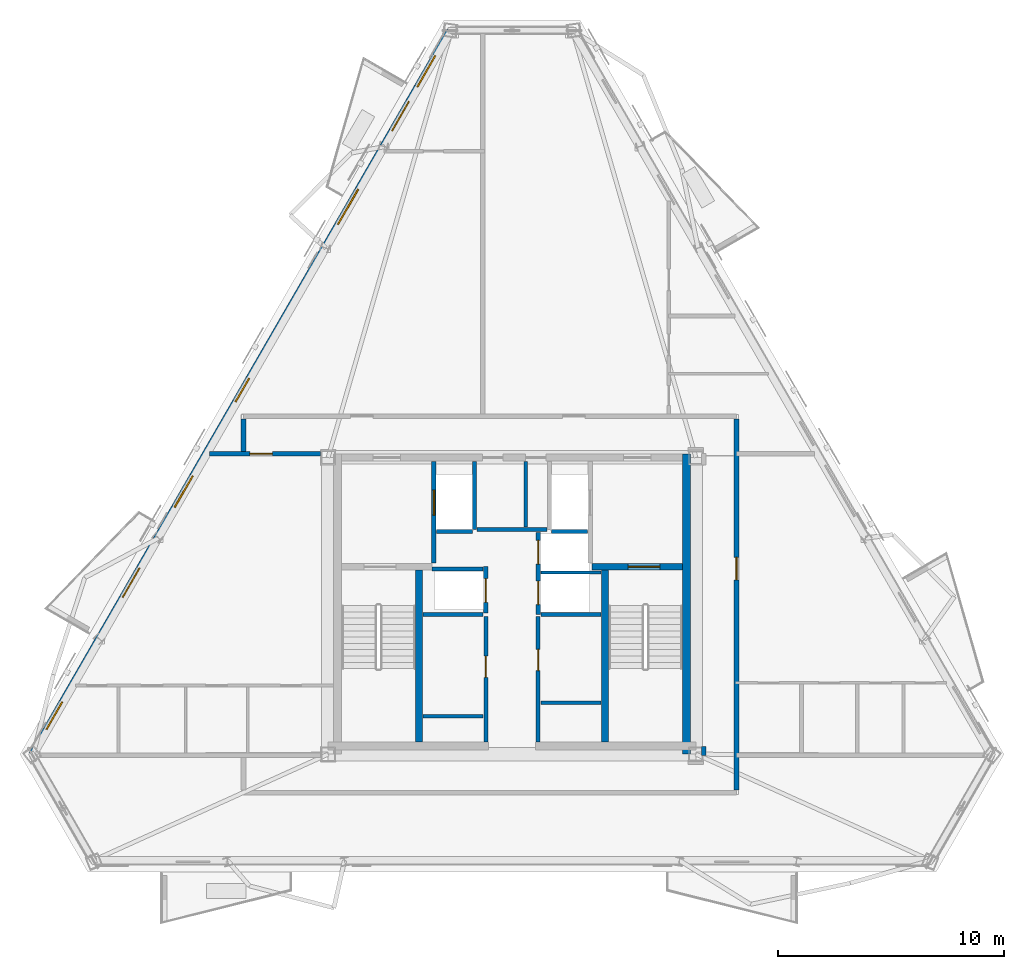
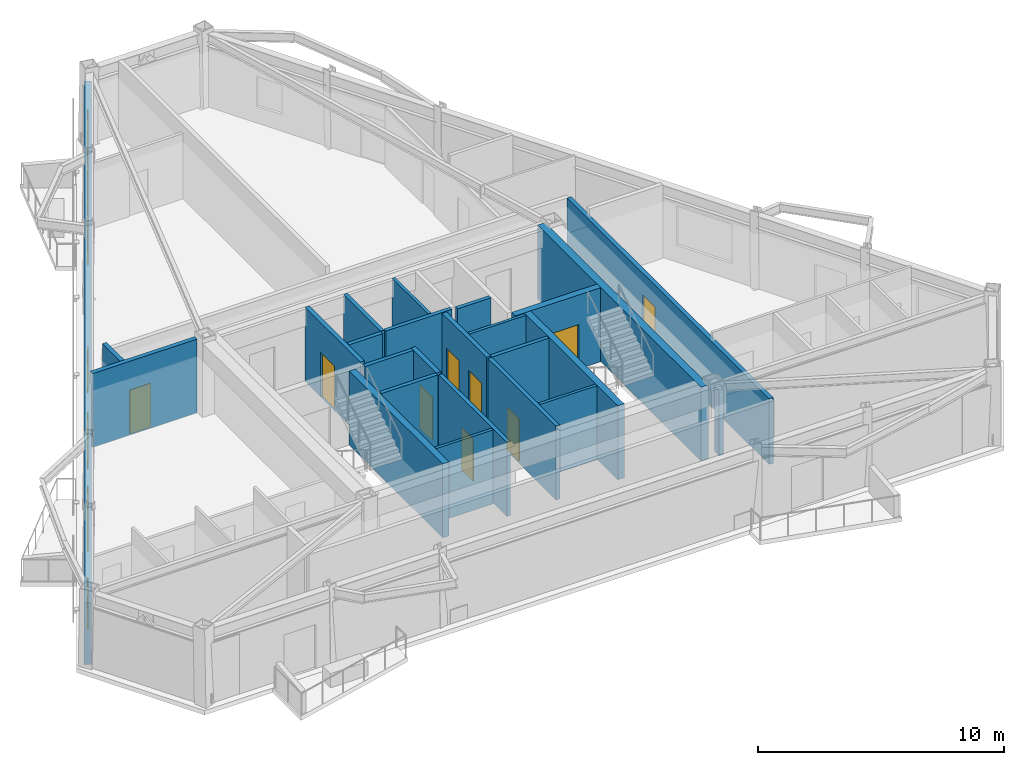
# One storey, part 3 of 9: 25 walls, 11 doors, 5 windows, 16 openings.
"""IFC4 building model written with IfcOpenShell, lengths in metres."""

from ifc_helpers import new_model, si_unit, direction, frame, frame_2d, origin, place, context, subcontext, project, spatial, rectangle, extrude, material, layer, layer_set, type_object, element, fill, save


model = new_model("IFC4")

# Units and contexts
model_context = context("Model", 3, precision=1e-05, world=origin(), true_north=direction((0.0, 1.0)))
body_context = subcontext(model_context, "Body", "Model", "MODEL_VIEW")
ifc_project = project(units=[si_unit("LENGTHUNIT", "METRE"), si_unit("AREAUNIT", "SQUARE_METRE"), si_unit("VOLUMEUNIT", "CUBIC_METRE"), si_unit("PLANEANGLEUNIT", "RADIAN"), si_unit("MASSUNIT", "GRAM", prefix="KILO")], contexts=[model_context])

# Site, building, storey
site_placement = place(None, origin())
site = spatial("IfcSite", under=ifc_project, at=site_placement, CompositionType="ELEMENT")
building_placement = place(site_placement, origin())
building = spatial("IfcBuilding", under=site, at=building_placement, Name="Oramaril Tower", CompositionType="ELEMENT")
storey_placement = place(building_placement, frame((0.0, 0.0, 249.89990234375)))
storey = spatial("IfcBuildingStorey", under=building, at=storey_placement, Name="L66", CompositionType="ELEMENT", Elevation=249.89990234375)

# Wall, openings, doors, windows
ifc_material_1 = material(Name="Warm Cream Limestone", Category="masonry")
ifc_layer_1 = layer(ifc_material_1, 0.2900390625)
ifc_layer_set_1 = layer_set([ifc_layer_1], Name="WT-EXT29")
wall_type_1 = type_object("IfcWallType", Name="WT-EXT29", PredefinedType="SOLIDWALL", material=ifc_layer_set_1)
wall_1_placement = place(storey_placement, frame((34.751708984375, 43.0791015625, 0.0), z_axis=(0.0, 0.0, 1.0), x_axis=(-0.499994896969, -0.866028350001, 0.0)))
wall_1 = element("IfcWall", 1, at=wall_1_placement, inside=storey, type_object=wall_type_1, Name="L66 Tower Limestone Facade Wall 6M", PredefinedType="SOLIDWALL", context=body_context, shape_type="SweptSolid", body=[
    extrude(rectangle(XDim=37.052734375, YDim=0.2900390625, at=frame_2d((18.5263671875, 0.0))), origin(), (0.0, 0.0, 1.0), 3.05810546875),
])
opening_1_placement = place(wall_1_placement, frame((3.639404296875, 0.0, 0.0)))
opening_1 = element("IfcOpeningElement", 2, at=opening_1_placement, cuts=wall_1, Name="Opening D-L66-BAL-NW1", PredefinedType="OPENING", context=body_context, shape_type="SweptSolid", body=[
    extrude(rectangle(XDim=1.5, YDim=2.199951171875, at=frame_2d((0.75, 1.10009765625))), frame((0.0, 0.14501953125, 0.0), z_axis=(0.0, -1.0, 0.0), x_axis=(1.0, 0.0, 0.0)), (0.0, 0.0, 1.0), 0.2900390625),
])
opening_2_placement = place(wall_1_placement, frame((27.51806640625, 0.0, 0.0)))
opening_2 = element("IfcOpeningElement", 3, at=opening_2_placement, cuts=wall_1, Name="Opening D-L66-BAL-NW2", PredefinedType="OPENING", context=body_context, shape_type="SweptSolid", body=[
    extrude(rectangle(XDim=1.5, YDim=2.199951171875, at=frame_2d((0.75, 1.10009765625))), frame((0.0, 0.14501953125, 0.0), z_axis=(0.0, -1.0, 0.0), x_axis=(1.0, 0.0, 0.0)), (0.0, 0.0, 1.0), 0.2900390625),
])
opening_3_placement = place(wall_1_placement, frame((22.802978515625, 0.0, 0.85009765625)))
opening_3 = element("IfcOpeningElement", 4, at=opening_3_placement, cuts=wall_1, Name="Opening WN-07", PredefinedType="OPENING", context=body_context, shape_type="SweptSolid", body=[
    extrude(rectangle(XDim=1.60009765625, YDim=1.699951171875, at=frame_2d((0.800048828125, 0.85009765625))), frame((0.0, 0.14501953125, 0.0), z_axis=(0.0, -1.0, 0.0), x_axis=(1.0, 0.0, 0.0)), (0.0, 0.0, 1.0), 0.2900390625),
])
opening_4_placement = place(wall_1_placement, frame((34.371337890625, 0.0, 0.85009765625)))
opening_4 = element("IfcOpeningElement", 5, at=opening_4_placement, cuts=wall_1, Name="Opening WN-08", PredefinedType="OPENING", context=body_context, shape_type="SweptSolid", body=[
    extrude(rectangle(XDim=1.39990234375, YDim=1.60009765625, at=frame_2d((0.699951171875, 0.800048828125))), frame((0.0, 0.14501953125, 0.0), z_axis=(0.0, -1.0, 0.0), x_axis=(1.0, 0.0, 0.0)), (0.0, 0.0, 1.0), 0.2900390625),
])
opening_5_placement = place(wall_1_placement, frame((8.135009765625, 0.0, 0.85009765625)))
opening_5 = element("IfcOpeningElement", 6, at=opening_5_placement, cuts=wall_1, Name="Opening WN-06", PredefinedType="OPENING", context=body_context, shape_type="SweptSolid", body=[
    extrude(rectangle(XDim=1.800048828125, YDim=1.75, at=frame_2d((0.89990234375, 0.875))), frame((0.0, 0.14501953125, 0.0), z_axis=(0.0, -1.0, 0.0), x_axis=(1.0, 0.0, 0.0)), (0.0, 0.0, 1.0), 0.2900390625),
])
opening_6_placement = place(wall_1_placement, frame((17.809814453125, 0.0, 0.85009765625)))
opening_6 = element("IfcOpeningElement", 7, at=opening_6_placement, cuts=wall_1, Name="Opening WN-09", PredefinedType="OPENING", context=body_context, shape_type="SweptSolid", body=[
    extrude(rectangle(XDim=1.199951171875, YDim=1.47998046875, at=frame_2d((0.60009765625, 0.739990234375))), frame((0.0, 0.14501953125, 0.0), z_axis=(0.0, -1.0, 0.0), x_axis=(1.0, 0.0, 0.0)), (0.0, 0.0, 1.0), 0.2900390625),
])
opening_7_placement = place(wall_1_placement, frame((1.2939453125, 0.0, 0.85009765625)))
opening_7 = element("IfcOpeningElement", 8, at=opening_7_placement, cuts=wall_1, Name="Opening WN-07", PredefinedType="OPENING", context=body_context, shape_type="SweptSolid", body=[
    extrude(rectangle(XDim=1.60009765625, YDim=1.699951171875, at=frame_2d((0.800048828125, 0.85009765625))), frame((0.0, 0.14501953125, 0.0), z_axis=(0.0, -1.0, 0.0), x_axis=(1.0, 0.0, 0.0)), (0.0, 0.0, 1.0), 0.2900390625),
])
ifc_material_2 = material(Name="Anodised Aluminium 6063-T6", Category="aluminium")
door_type_1 = type_object("IfcDoorType", Name="DT-BAL", OperationType="NOTDEFINED", PredefinedType="DOOR", material=ifc_material_2)
door_1_placement = place(opening_1_placement, origin())
door_1 = element("IfcDoor", 9, at=door_1_placement, inside=storey, type_object=door_type_1, Name="L66 Balcony Glazed Door L66-BAL-NW1", OperationType="SINGLE_SWING_LEFT", OverallHeight=2.199951171875, OverallWidth=1.5, PredefinedType="DOOR", context=body_context, shape_type="SweptSolid", body=[
    extrude(rectangle(XDim=1.5, YDim=2.199951171875, at=frame_2d((0.75, 1.10009765625))), frame((0.0, 0.02490234375, 0.0), z_axis=(0.0, -1.0, 0.0), x_axis=(1.0, 0.0, 0.0)), (0.0, 0.0, 1.0), 0.050048828125),
])
fill(opening_1, door_1)
door_2_placement = place(opening_2_placement, origin())
door_2 = element("IfcDoor", 10, at=door_2_placement, inside=storey, type_object=door_type_1, Name="L66 Balcony Glazed Door L66-BAL-NW2", OperationType="SINGLE_SWING_RIGHT", OverallHeight=2.199951171875, OverallWidth=1.5, PredefinedType="DOOR", context=body_context, shape_type="SweptSolid", body=[
    extrude(rectangle(XDim=1.5, YDim=2.199951171875, at=frame_2d((0.75, 1.10009765625))), frame((0.0, 0.02490234375, 0.0), z_axis=(0.0, -1.0, 0.0), x_axis=(1.0, 0.0, 0.0)), (0.0, 0.0, 1.0), 0.050048828125),
])
fill(opening_2, door_2)
ifc_material_3 = material(Name="Coastal Low-E Insulated Glass", Category="glass")
window_type_1 = type_object("IfcWindowType", Name="WNT-06", PartitioningType="SINGLE_PANEL", PredefinedType="WINDOW", material=ifc_material_3)
window_1_placement = place(opening_5_placement, origin())
window_1 = element("IfcWindow", 11, at=window_1_placement, inside=storey, type_object=window_type_1, Name="L66 Chicago Bay Window WN-06", OverallHeight=1.75, OverallWidth=1.800048828125, PartitioningType="SINGLE_PANEL", PredefinedType="WINDOW", context=body_context, shape_type="SweptSolid", body=[
    extrude(rectangle(XDim=1.800048828125, YDim=1.75, at=frame_2d((0.89990234375, 0.875))), frame((0.0, 0.030029296875, 0.0), z_axis=(0.0, -1.0, 0.0), x_axis=(1.0, 0.0, 0.0)), (0.0, 0.0, 1.0), 0.06005859375),
])
fill(opening_5, window_1)
ifc_material_4 = material(Name="Coastal Low-E Insulated Glass", Category="glass")
window_type_2 = type_object("IfcWindowType", Name="WNT-07", PartitioningType="SINGLE_PANEL", PredefinedType="WINDOW", material=ifc_material_4)
window_2_placement = place(opening_3_placement, origin())
window_2 = element("IfcWindow", 12, at=window_2_placement, inside=storey, type_object=window_type_2, Name="L66 Chicago Bay Window WN-07", OverallHeight=1.699951171875, OverallWidth=1.60009765625, PartitioningType="SINGLE_PANEL", PredefinedType="WINDOW", context=body_context, shape_type="SweptSolid", body=[
    extrude(rectangle(XDim=1.60009765625, YDim=1.699951171875, at=frame_2d((0.800048828125, 0.85009765625))), frame((0.0, 0.030029296875, 0.0), z_axis=(0.0, -1.0, 0.0), x_axis=(1.0, 0.0, 0.0)), (0.0, 0.0, 1.0), 0.06005859375),
])
fill(opening_3, window_2)
window_3_placement = place(opening_7_placement, origin())
window_3 = element("IfcWindow", 13, at=window_3_placement, inside=storey, type_object=window_type_2, Name="L66 Chicago Bay Window WN-07", OverallHeight=1.699951171875, OverallWidth=1.60009765625, PartitioningType="SINGLE_PANEL", PredefinedType="WINDOW", context=body_context, shape_type="SweptSolid", body=[
    extrude(rectangle(XDim=1.60009765625, YDim=1.699951171875, at=frame_2d((0.800048828125, 0.85009765625))), frame((0.0, 0.030029296875, 0.0), z_axis=(0.0, -1.0, 0.0), x_axis=(1.0, 0.0, 0.0)), (0.0, 0.0, 1.0), 0.06005859375),
])
fill(opening_7, window_3)
ifc_material_5 = material(Name="Coastal Low-E Insulated Glass", Category="glass")
window_type_3 = type_object("IfcWindowType", Name="WNT-08", PartitioningType="SINGLE_PANEL", PredefinedType="WINDOW", material=ifc_material_5)
window_4_placement = place(opening_4_placement, origin())
window_4 = element("IfcWindow", 14, at=window_4_placement, inside=storey, type_object=window_type_3, Name="L66 Chicago Bay Window WN-08", OverallHeight=1.60009765625, OverallWidth=1.39990234375, PartitioningType="SINGLE_PANEL", PredefinedType="WINDOW", context=body_context, shape_type="SweptSolid", body=[
    extrude(rectangle(XDim=1.39990234375, YDim=1.60009765625, at=frame_2d((0.699951171875, 0.800048828125))), frame((0.0, 0.030029296875, 0.0), z_axis=(0.0, -1.0, 0.0), x_axis=(1.0, 0.0, 0.0)), (0.0, 0.0, 1.0), 0.06005859375),
])
fill(opening_4, window_4)
ifc_material_6 = material(Name="Coastal Low-E Insulated Glass", Category="glass")
window_type_4 = type_object("IfcWindowType", Name="WNT-09", PartitioningType="SINGLE_PANEL", PredefinedType="WINDOW", material=ifc_material_6)
window_5_placement = place(opening_6_placement, origin())
window_5 = element("IfcWindow", 15, at=window_5_placement, inside=storey, type_object=window_type_4, Name="L66 Chicago Bay Window WN-09", OverallHeight=1.47998046875, OverallWidth=1.199951171875, PartitioningType="SINGLE_PANEL", PredefinedType="WINDOW", context=body_context, shape_type="SweptSolid", body=[
    extrude(rectangle(XDim=1.199951171875, YDim=1.47998046875, at=frame_2d((0.60009765625, 0.739990234375))), frame((0.0, 0.030029296875, 0.0), z_axis=(0.0, -1.0, 0.0), x_axis=(1.0, 0.0, 0.0)), (0.0, 0.0, 1.0), 0.06005859375),
])
fill(opening_6, window_5)

# Walls
ifc_material_7 = material(Name="Acoustic Gypsum Board Partition")
ifc_layer_2 = layer(ifc_material_7, 0.139892578125)
ifc_layer_set_2 = layer_set([ifc_layer_2], Name="WT-PT14")
wall_type_2 = type_object("IfcWallType", Name="WT-PT14", PredefinedType="PARTITIONING", material=ifc_layer_set_2)
for number, where, z_axis, x_axis, name in (
    (16, (33.56005859375, 12.679931640625, 0.0), (0.0, 0.0, 1.0), (1.0, 0.0, 0.0), "L66 Freed Shaft South Closure"),
    (17, (38.780029296875, 19.050048828125, 0.0), (0.0, 0.0, 1.0), (1.0, 0.0, 0.0), "L66 High-Rise Lift H2-H3 Divider"),
    (18, (38.780029296875, 13.280029296875, 0.0), (0.0, 0.0, 1.0), (1.0, 0.0, 0.0), "L66 Freed Shaft South Closure"),
):
    element("IfcWall", number, at=place(storey_placement, frame(where, z_axis=z_axis, x_axis=x_axis)), inside=storey, type_object=wall_type_2, Name=name, PredefinedType="PARTITIONING", context=body_context, shape_type="SweptSolid", body=[
        extrude(rectangle(XDim=2.659912109375, YDim=0.139892578125, at=frame_2d((1.330078125, 0.0))), origin(), (0.0, 0.0, 1.0), 3.68017578125),
    ])
wall_2_placement = place(storey_placement, frame((38.110107421875, 21.06005859375, 0.0), z_axis=(0.0, 0.0, 1.0), x_axis=(0.0, 1.0, 0.0)))
element("IfcWall", 19, at=wall_2_placement, inside=storey, type_object=wall_type_2, Name="L66 Core Service Divider", PredefinedType="PARTITIONING", context=body_context, shape_type="SweptSolid", body=[
    extrude(rectangle(XDim=2.919921875, YDim=0.139892578125, at=frame_2d((1.4599609375, 0.0))), origin(), (0.0, 0.0, 1.0), 3.68017578125),
])
ifc_material_8 = material(Name="Autoclaved Cellular Concrete Block", Category="concrete")
ifc_layer_3 = layer(ifc_material_8, 0.179931640625)
ifc_layer_set_3 = layer_set([ifc_layer_3], Name="WT-PT18")
wall_type_3 = type_object("IfcWallType", Name="WT-PT18", PredefinedType="PARTITIONING", material=ifc_layer_set_3)
wall_3_placement = place(storey_placement, frame((35.840087890625, 20.9599609375, 0.0), z_axis=(0.0, 0.0, 1.0), x_axis=(0.0, 1.0, 0.0)))
element("IfcWall", 20, at=wall_3_placement, inside=storey, type_object=wall_type_3, Name="L66 FL-1 East Shaft Wall", PredefinedType="PARTITIONING", context=body_context, shape_type="SweptSolid", body=[
    extrude(rectangle(XDim=3.02001953125, YDim=0.179931640625, at=frame_2d((1.510009765625, 0.0))), origin(), (0.0, 0.0, 1.0), 3.68017578125),
])
for number, where, z_axis, x_axis, name in (
    (21, (34.159912109375, 20.860107421875, 0.0), (0.0, 0.0, 1.0), (1.0, 0.0, 0.0), "L66 FL-1 South Shaft Wall"),
    (22, (39.260009765625, 20.860107421875, 0.0), (0.0, 0.0, 1.0), (1.0, 0.0, 0.0), "L66 FL-2 South Shaft Wall"),
):
    element("IfcWall", number, at=place(storey_placement, frame(where, z_axis=z_axis, x_axis=x_axis)), inside=storey, type_object=wall_type_3, Name=name, PredefinedType="PARTITIONING", context=body_context, shape_type="SweptSolid", body=[
        extrude(rectangle(XDim=1.580078125, YDim=0.179931640625, at=frame_2d((0.7900390625, 0.0))), origin(), (0.0, 0.0, 1.0), 3.68017578125),
    ])
wall_4_placement = place(storey_placement, frame((33.949951171875, 19.199951171875, 0.0), z_axis=(0.0, 0.0, 1.0), x_axis=(1.0, 0.0, 0.0)))
element("IfcWall", 23, at=wall_4_placement, inside=storey, type_object=wall_type_3, Name="L66 High-Rise Lift H1 North Shaft Wall", PredefinedType="PARTITIONING", context=body_context, shape_type="SweptSolid", body=[
    extrude(rectangle(XDim=2.27001953125, YDim=0.179931640625, at=frame_2d((1.135009765625, 0.0))), origin(), (0.0, 0.0, 1.0), 3.68017578125),
])
wall_5_placement = place(storey_placement, frame((33.56005859375, 17.199951171875, 0.0), z_axis=(0.0, 0.0, 1.0), x_axis=(1.0, 0.0, 0.0)))
element("IfcWall", 24, at=wall_5_placement, inside=storey, type_object=wall_type_3, Name="L66 High-Rise Lift H1 South Wall", PredefinedType="PARTITIONING", context=body_context, shape_type="SweptSolid", body=[
    extrude(rectangle(XDim=2.659912109375, YDim=0.179931640625, at=frame_2d((1.330078125, 0.0))), origin(), (0.0, 0.0, 1.0), 3.68017578125),
])

# Wall, opening, door
wall_6_placement = place(storey_placement, frame((36.340087890625, 11.550048828125, 0.0), z_axis=(0.0, 0.0, 1.0), x_axis=(0.0, 1.0, 0.0)))
wall_6 = element("IfcWall", 25, at=wall_6_placement, inside=storey, type_object=wall_type_3, Name="L66 Freed Shaft Study East Wall", PredefinedType="PARTITIONING", context=body_context, shape_type="SweptSolid", body=[
    extrude(rectangle(XDim=5.550048828125, YDim=0.179931640625, at=frame_2d((2.77490234375, 0.0))), origin(), (0.0, 0.0, 1.0), 3.68017578125),
])
opening_8_placement = place(wall_6_placement, frame((2.85009765625, 0.0, 0.0)))
opening_8 = element("IfcOpeningElement", 26, at=opening_8_placement, cuts=wall_6, Name="Opening D-L66-FL1", PredefinedType="OPENING", context=body_context, shape_type="SweptSolid", body=[
    extrude(rectangle(XDim=0.949951171875, YDim=2.10009765625, at=frame_2d((0.47509765625, 1.050048828125))), frame((0.0, 0.08984375, 0.0), z_axis=(0.0, -1.0, 0.0), x_axis=(1.0, 0.0, 0.0)), (0.0, 0.0, 1.0), 0.179931640625),
])
ifc_material_9 = material(Name="FSC Brazilian Freijo Hardwood", Category="wood")
door_type_2 = type_object("IfcDoorType", Name="DT-STDY", OperationType="NOTDEFINED", PredefinedType="DOOR", material=ifc_material_9)
door_3_placement = place(opening_8_placement, origin())
door_3 = element("IfcDoor", 27, at=door_3_placement, inside=storey, type_object=door_type_2, Name="L66 L66 Residents Library Study Door", OperationType="SINGLE_SWING_LEFT", OverallHeight=2.10009765625, OverallWidth=0.949951171875, PredefinedType="DOOR", context=body_context, shape_type="SweptSolid", body=[
    extrude(rectangle(XDim=0.949951171875, YDim=2.10009765625, at=frame_2d((0.47509765625, 1.050048828125))), frame((0.0, 0.02490234375, 0.0), z_axis=(0.0, -1.0, 0.0), x_axis=(1.0, 0.0, 0.0)), (0.0, 0.0, 1.0), 0.050048828125),
])
fill(opening_8, door_3)

# Wall
wall_7_placement = place(storey_placement, frame((38.780029296875, 17.199951171875, 0.0), z_axis=(0.0, 0.0, 1.0), x_axis=(1.0, 0.0, 0.0)))
element("IfcWall", 28, at=wall_7_placement, inside=storey, type_object=wall_type_3, Name="L66 High-Rise Lift H2 South Wall", PredefinedType="PARTITIONING", context=body_context, shape_type="SweptSolid", body=[
    extrude(rectangle(XDim=2.659912109375, YDim=0.179931640625, at=frame_2d((1.330078125, 0.0))), origin(), (0.0, 0.0, 1.0), 3.68017578125),
])

# Wall, opening, door
wall_8_placement = place(storey_placement, frame((38.659912109375, 11.550048828125, 0.0), z_axis=(0.0, 0.0, 1.0), x_axis=(0.0, 1.0, 0.0)))
wall_8 = element("IfcWall", 29, at=wall_8_placement, inside=storey, type_object=wall_type_3, Name="L66 Freed Shaft Alcove West Wall", PredefinedType="PARTITIONING", context=body_context, shape_type="SweptSolid", body=[
    extrude(rectangle(XDim=5.550048828125, YDim=0.179931640625, at=frame_2d((2.77490234375, 0.0))), origin(), (0.0, 0.0, 1.0), 3.68017578125),
])
opening_9_placement = place(wall_8_placement, frame((3.14990234375, 0.0, 0.0)))
opening_9 = element("IfcOpeningElement", 30, at=opening_9_placement, cuts=wall_8, Name="Opening D-L66-FM1", PredefinedType="OPENING", context=body_context, shape_type="SweptSolid", body=[
    extrude(rectangle(XDim=0.949951171875, YDim=2.10009765625, at=frame_2d((0.47509765625, 1.050048828125))), frame((0.0, 0.08984375, 0.0), z_axis=(0.0, -1.0, 0.0), x_axis=(1.0, 0.0, 0.0)), (0.0, 0.0, 1.0), 0.179931640625),
])
door_4_placement = place(opening_9_placement, origin())
door_4 = element("IfcDoor", 31, at=door_4_placement, inside=storey, type_object=door_type_2, Name="L66 L66 Sky Consulting Office Door", OperationType="SINGLE_SWING_RIGHT", OverallHeight=2.10009765625, OverallWidth=0.949951171875, PredefinedType="DOOR", context=body_context, shape_type="SweptSolid", body=[
    extrude(rectangle(XDim=0.949951171875, YDim=2.10009765625, at=frame_2d((0.47509765625, 1.050048828125))), frame((0.0, 0.02490234375, 0.0), z_axis=(0.0, -1.0, 0.0), x_axis=(1.0, 0.0, 0.0)), (0.0, 0.0, 1.0), 0.050048828125),
])
fill(opening_9, door_4)

# Wall
wall_9_placement = place(storey_placement, frame((35.949951171875, 20.949951171875, 0.0), z_axis=(0.0, 0.0, 1.0), x_axis=(1.0, 0.0, 0.0)))
element("IfcWall", 32, at=wall_9_placement, inside=storey, type_object=wall_type_3, Name="L66 Lift Lobby North Partition", PredefinedType="PARTITIONING", context=body_context, shape_type="SweptSolid", body=[
    extrude(rectangle(XDim=3.10009765625, YDim=0.179931640625, at=frame_2d((1.550048828125, 0.0))), origin(), (0.0, 0.0, 1.0), 3.68017578125),
])

# Wall, opening, door
ifc_material_10 = material(Name="Autoclaved Cellular Concrete Block", Category="concrete")
ifc_layer_4 = layer(ifc_material_10, 0.199951171875)
ifc_layer_set_4 = layer_set([ifc_layer_4], Name="WT-PT20")
wall_type_4 = type_object("IfcWallType", Name="WT-PT20", PredefinedType="PARTITIONING", material=ifc_layer_set_4)
wall_10_placement = place(storey_placement, frame((24.093505859375, 24.320068359375, 0.0), z_axis=(0.0, 0.0, 1.0), x_axis=(1.0, 0.0, 0.0)))
wall_10 = element("IfcWall", 33, at=wall_10_placement, inside=storey, type_object=wall_type_4, Name="L66 Interior Partition PT-20", PredefinedType="PARTITIONING", context=body_context, shape_type="SweptSolid", body=[
    extrude(rectangle(XDim=4.91650390625, YDim=0.199951171875, at=frame_2d((2.458251953125, 0.0))), origin(), (0.0, 0.0, 1.0), 3.68017578125),
])
opening_10_placement = place(wall_10_placement, frame((1.788330078125, 0.0, 0.0)))
opening_10 = element("IfcOpeningElement", 34, at=opening_10_placement, cuts=wall_10, Name="Opening D-L66-09", PredefinedType="OPENING", context=body_context, shape_type="SweptSolid", body=[
    extrude(rectangle(XDim=1.0, YDim=2.179931640625, at=frame_2d((0.5, 1.08984375))), frame((0.0, 0.10009765625, 0.0), z_axis=(0.0, -1.0, 0.0), x_axis=(1.0, 0.0, 0.0)), (0.0, 0.0, 1.0), 0.199951171875),
])
ifc_material_11 = material(Name="FSC Brazilian Freijo Hardwood", Category="wood")
door_type_3 = type_object("IfcDoorType", Name="DT-APT", OperationType="NOTDEFINED", PredefinedType="DOOR", material=ifc_material_11)
door_5_placement = place(opening_10_placement, origin())
door_5 = element("IfcDoor", 35, at=door_5_placement, inside=storey, type_object=door_type_3, Name="L66 Flat L66-U2 Penthouse Living and Dining Room Door D-L66-09", OperationType="SINGLE_SWING_RIGHT", OverallHeight=2.179931640625, OverallWidth=1.0, PredefinedType="DOOR", context=body_context, shape_type="SweptSolid", body=[
    extrude(rectangle(XDim=1.0, YDim=2.179931640625, at=frame_2d((0.5, 1.08984375))), frame((0.0, 0.02490234375, 0.0), z_axis=(0.0, -1.0, 0.0), x_axis=(1.0, 0.0, 0.0)), (0.0, 0.0, 1.0), 0.050048828125),
])
fill(opening_10, door_5)

# Walls
wall_11_placement = place(storey_placement, frame((25.60009765625, 24.424072265625, 0.0), z_axis=(0.0, 0.0, 1.0), x_axis=(0.0, 1.0, 0.0)))
element("IfcWall", 36, at=wall_11_placement, inside=storey, type_object=wall_type_4, Name="L66 Interior Partition PT-20", PredefinedType="PARTITIONING", context=body_context, shape_type="SweptSolid", body=[
    extrude(rectangle(XDim=1.44189453125, YDim=0.199951171875, at=frame_2d((0.720947265625, 0.0))), origin(), (0.0, 0.0, 1.0), 3.68017578125),
])
wall_12_placement = place(storey_placement, frame((45.989990234375, 10.949951171875, 0.0), z_axis=(0.0, 0.0, 1.0), x_axis=(0.0, 1.0, 0.0)))
element("IfcWall", 37, at=wall_12_placement, inside=storey, type_object=wall_type_4, Name="L66 Interior Partition PT-20", PredefinedType="PARTITIONING", context=body_context, shape_type="SweptSolid", body=[
    extrude(rectangle(XDim=0.39013671875, YDim=0.199951171875, at=frame_2d((0.195068359375, 0.0))), origin(), (0.0, 0.0, 1.0), 3.26611328125),
])

# Wall, opening, door
wall_13_placement = place(storey_placement, frame((47.449951171875, 9.404052734375, 0.0), z_axis=(0.0, 0.0, 1.0), x_axis=(0.0, 1.0, 0.0)))
wall_13 = element("IfcWall", 38, at=wall_13_placement, inside=storey, type_object=wall_type_4, Name="L66 Interior Partition PT-20", PredefinedType="PARTITIONING", context=body_context, shape_type="SweptSolid", body=[
    extrude(rectangle(XDim=16.4619140625, YDim=0.199951171875, at=frame_2d((8.23095703125, 0.0))), origin(), (0.0, 0.0, 1.0), 3.26611328125),
])
opening_11_placement = place(wall_13_placement, frame((9.320068359375, 0.0, 0.0)))
opening_11 = element("IfcOpeningElement", 39, at=opening_11_placement, cuts=wall_13, Name="Opening D-L66-16", PredefinedType="OPENING", context=body_context, shape_type="SweptSolid", body=[
    extrude(rectangle(XDim=1.0, YDim=2.179931640625, at=frame_2d((0.5, 1.08984375))), frame((0.0, 0.10009765625, 0.0), z_axis=(0.0, -1.0, 0.0), x_axis=(1.0, 0.0, 0.0)), (0.0, 0.0, 1.0), 0.199951171875),
])
door_6_placement = place(opening_11_placement, origin())
door_6 = element("IfcDoor", 40, at=door_6_placement, inside=storey, type_object=door_type_3, Name="L66 Flat L66-U3 Penthouse 2-Bedroom Living and Dining Room Door D-L66-16", OperationType="SINGLE_SWING_LEFT", OverallHeight=2.179931640625, OverallWidth=1.0, PredefinedType="DOOR", context=body_context, shape_type="SweptSolid", body=[
    extrude(rectangle(XDim=1.0, YDim=2.179931640625, at=frame_2d((0.5, 1.08984375))), frame((0.0, 0.02490234375, 0.0), z_axis=(0.0, -1.0, 0.0), x_axis=(1.0, 0.0, 0.0)), (0.0, 0.0, 1.0), 0.050048828125),
])
fill(opening_11, door_6)

ifc_material_12 = material(Name="Concrete C50/60", Category="concrete")
ifc_layer_5 = layer(ifc_material_12, 0.300048828125)
ifc_layer_set_5 = layer_set([ifc_layer_5], Name="WT-SH30")
wall_type_5 = type_object("IfcWallType", Name="WT-SH30", PredefinedType="SHEAR", material=ifc_layer_set_5)
wall_14_placement = place(storey_placement, frame((41.050048828125, 19.31005859375, 0.0), z_axis=(0.0, 0.0, 1.0), x_axis=(1.0, 0.0, 0.0)))
wall_14 = element("IfcWall", 41, at=wall_14_placement, inside=storey, type_object=wall_type_5, Name="L66 Core Shear Wall CW-ST2N", PredefinedType="SHEAR", context=body_context, shape_type="SweptSolid", body=[
    extrude(rectangle(XDim=4.010009765625, YDim=0.300048828125, at=frame_2d((2.0048828125, 0.0))), origin(), (0.0, 0.0, 1.0), 3.68017578125),
])
opening_12_placement = place(wall_14_placement, frame((1.60009765625, 0.0, 0.0)))
opening_12 = element("IfcOpeningElement", 42, at=opening_12_placement, cuts=wall_14, Name="Opening D-L66-ST2", PredefinedType="OPENING", context=body_context, shape_type="SweptSolid", body=[
    extrude(rectangle(XDim=1.39990234375, YDim=2.199951171875, at=frame_2d((0.699951171875, 1.10009765625))), frame((0.0, 0.14990234375, 0.0), z_axis=(0.0, -1.0, 0.0), x_axis=(1.0, 0.0, 0.0)), (0.0, 0.0, 1.0), 0.300048828125),
])
ifc_material_13 = material(Name="Painted Galvanised Steel", Category="steel")
door_type_4 = type_object("IfcDoorType", Name="DT-ST", OperationType="NOTDEFINED", PredefinedType="DOOR", material=ifc_material_13)
door_7_placement = place(opening_12_placement, origin())
door_7 = element("IfcDoor", 43, at=door_7_placement, inside=storey, type_object=door_type_4, Name="L66 Protected Stair ST-2 Fire Door", OperationType="SINGLE_SWING_RIGHT", OverallHeight=2.199951171875, OverallWidth=1.39990234375, PredefinedType="DOOR", context=body_context, shape_type="SweptSolid", body=[
    extrude(rectangle(XDim=1.39990234375, YDim=2.199951171875, at=frame_2d((0.699951171875, 1.10009765625))), frame((0.0, 0.02490234375, 0.0), z_axis=(0.0, -1.0, 0.0), x_axis=(1.0, 0.0, 0.0)), (0.0, 0.0, 1.0), 0.050048828125),
])
fill(opening_12, door_7)

# Walls
for number, where, z_axis, x_axis, name in (
    (44, (33.3798828125, 11.5400390625, 0.0), (0.0, 0.0, 1.0), (0.0, 1.0, 0.0), "L66 Core Shear Wall CW-ST1E"),
    (45, (41.6201171875, 11.5400390625, 0.0), (0.0, 0.0, 1.0), (0.0, 1.0, 0.0), "L66 Core Shear Wall CW-ST2W"),
):
    element("IfcWall", number, at=place(storey_placement, frame(where, z_axis=z_axis, x_axis=x_axis)), inside=storey, type_object=wall_type_5, Name=name, PredefinedType="SHEAR", context=body_context, shape_type="SweptSolid", body=[
        extrude(rectangle(XDim=7.619873046875, YDim=0.300048828125, at=frame_2d((3.81005859375, 0.0))), origin(), (0.0, 0.0, 1.0), 3.68017578125),
    ])
ifc_material_14 = material(Name="Concrete C50/60", Category="concrete")
ifc_layer_6 = layer(ifc_material_14, 0.35009765625)
ifc_layer_set_6 = layer_set([ifc_layer_6], Name="WT-SH35")
wall_type_6 = type_object("IfcWallType", Name="WT-SH35", PredefinedType="SHEAR", material=ifc_layer_set_6)
wall_15_placement = place(storey_placement, frame((45.235107421875, 11.0, 0.0), z_axis=(0.0, 0.0, 1.0), x_axis=(0.0, 1.0, 0.0)))
element("IfcWall", 46, at=wall_15_placement, inside=storey, type_object=wall_type_6, Name="L66 Core Shear Wall CW-E", PredefinedType="SHEAR", context=body_context, shape_type="SweptSolid", body=[
    extrude(rectangle(XDim=13.300048828125, YDim=0.35009765625, at=frame_2d((6.64990234375, 0.0))), origin(), (0.0, 0.0, 1.0), 3.68017578125),
])

# Wall, opening, door
ifc_material_15 = material(Name="Autoclaved Cellular Concrete Block", Category="concrete")
ifc_layer_7 = layer(ifc_material_15, 0.199951171875)
ifc_layer_set_7 = layer_set([ifc_layer_7], Name="WT-SHF20")
wall_type_7 = type_object("IfcWallType", Name="WT-SHF20", PredefinedType="PARTITIONING", material=ifc_layer_set_7)
wall_16_placement = place(storey_placement, frame((34.0400390625, 19.47998046875, 0.0), z_axis=(0.0, 0.0, 1.0), x_axis=(0.0, 1.0, 0.0)))
wall_16 = element("IfcWall", 47, at=wall_16_placement, inside=storey, type_object=wall_type_7, Name="L66 FL-1 Lobby Shaft Wall", PredefinedType="PARTITIONING", context=body_context, shape_type="SweptSolid", body=[
    extrude(rectangle(XDim=4.5, YDim=0.199951171875, at=frame_2d((2.25, 0.0))), origin(), (0.0, 0.0, 1.0), 3.68017578125),
])
opening_13_placement = place(wall_16_placement, frame((2.1201171875, 0.0, 0.0)))
opening_13 = element("IfcOpeningElement", 48, at=opening_13_placement, cuts=wall_16, Name="Opening LD-L66-FL-1", PredefinedType="OPENING", context=body_context, shape_type="SweptSolid", body=[
    extrude(rectangle(XDim=1.10009765625, YDim=2.199951171875, at=frame_2d((0.550048828125, 1.10009765625))), frame((0.0, 0.10009765625, 0.0), z_axis=(0.0, -1.0, 0.0), x_axis=(1.0, 0.0, 0.0)), (0.0, 0.0, 1.0), 0.199951171875),
])
ifc_material_16 = material(Name="Stainless Steel 316L", Category="steel")
door_type_5 = type_object("IfcDoorType", Name="DT-LD1", OperationType="NOTDEFINED", PredefinedType="DOOR", material=ifc_material_16)
door_8_placement = place(opening_13_placement, origin())
door_8 = element("IfcDoor", 49, at=door_8_placement, inside=storey, type_object=door_type_5, Name="L66 Lift FL-1 Sliding Landing Door", OperationType="SLIDING_TO_LEFT", OverallHeight=2.199951171875, OverallWidth=1.10009765625, PredefinedType="DOOR", context=body_context, shape_type="SweptSolid", body=[
    extrude(rectangle(XDim=1.10009765625, YDim=2.199951171875, at=frame_2d((0.550048828125, 1.10009765625))), frame((0.0, 0.02490234375, 0.0), z_axis=(0.0, -1.0, 0.0), x_axis=(1.0, 0.0, 0.0)), (0.0, 0.0, 1.0), 0.050048828125),
])
fill(opening_13, door_8)

wall_17_placement = place(storey_placement, frame((36.340087890625, 17.25, 0.0), z_axis=(0.0, 0.0, 1.0), x_axis=(0.0, 1.0, 0.0)))
wall_17 = element("IfcWall", 50, at=wall_17_placement, inside=storey, type_object=wall_type_7, Name="L66 High-Rise Lift H1 Front Wall", PredefinedType="PARTITIONING", context=body_context, shape_type="SweptSolid", body=[
    extrude(rectangle(XDim=2.070068359375, YDim=0.199951171875, at=frame_2d((1.03515625, 0.0))), origin(), (0.0, 0.0, 1.0), 3.68017578125),
])
opening_14_placement = place(wall_17_placement, frame((0.47509765625, 0.0, 0.0)))
opening_14 = element("IfcOpeningElement", 51, at=opening_14_placement, cuts=wall_17, Name="Opening LD-L66-LP-H1", PredefinedType="OPENING", context=body_context, shape_type="SweptSolid", body=[
    extrude(rectangle(XDim=1.050048828125, YDim=2.14990234375, at=frame_2d((0.52490234375, 1.074951171875))), frame((0.0, 0.10009765625, 0.0), z_axis=(0.0, -1.0, 0.0), x_axis=(1.0, 0.0, 0.0)), (0.0, 0.0, 1.0), 0.199951171875),
])
ifc_material_17 = material(Name="Stainless Steel 316L", Category="steel")
door_type_6 = type_object("IfcDoorType", Name="DT-LD2", OperationType="NOTDEFINED", PredefinedType="DOOR", material=ifc_material_17)
door_9_placement = place(opening_14_placement, origin())
door_9 = element("IfcDoor", 52, at=door_9_placement, inside=storey, type_object=door_type_6, Name="L66 Lift LP-H1 Sliding Landing Door", OperationType="SLIDING_TO_LEFT", OverallHeight=2.14990234375, OverallWidth=1.050048828125, PredefinedType="DOOR", context=body_context, shape_type="SweptSolid", body=[
    extrude(rectangle(XDim=1.050048828125, YDim=2.14990234375, at=frame_2d((0.52490234375, 1.074951171875))), frame((0.0, 0.02490234375, 0.0), z_axis=(0.0, -1.0, 0.0), x_axis=(1.0, 0.0, 0.0)), (0.0, 0.0, 1.0), 0.050048828125),
])
fill(opening_14, door_9)

# Wall, openings, doors
wall_18_placement = place(storey_placement, frame((38.659912109375, 17.199951171875, 0.0), z_axis=(0.0, 0.0, 1.0), x_axis=(0.0, 1.0, 0.0)))
wall_18 = element("IfcWall", 53, at=wall_18_placement, inside=storey, type_object=wall_type_7, Name="L66 High-Rise Lift H2-H3 Front Wall", PredefinedType="PARTITIONING", context=body_context, shape_type="SweptSolid", body=[
    extrude(rectangle(XDim=3.6201171875, YDim=0.199951171875, at=frame_2d((1.81005859375, 0.0))), origin(), (0.0, 0.0, 1.0), 3.68017578125),
])
opening_15_placement = place(wall_18_placement, frame((0.425048828125, 0.0, 0.0)))
opening_15 = element("IfcOpeningElement", 54, at=opening_15_placement, cuts=wall_18, Name="Opening LD-L66-LP-H2", PredefinedType="OPENING", context=body_context, shape_type="SweptSolid", body=[
    extrude(rectangle(XDim=1.050048828125, YDim=2.14990234375, at=frame_2d((0.52490234375, 1.074951171875))), frame((0.0, 0.10009765625, 0.0), z_axis=(0.0, -1.0, 0.0), x_axis=(1.0, 0.0, 0.0)), (0.0, 0.0, 1.0), 0.199951171875),
])
opening_16_placement = place(wall_18_placement, frame((2.22509765625, 0.0, 0.0)))
opening_16 = element("IfcOpeningElement", 55, at=opening_16_placement, cuts=wall_18, Name="Opening LD-L66-LP-H3", PredefinedType="OPENING", context=body_context, shape_type="SweptSolid", body=[
    extrude(rectangle(XDim=1.050048828125, YDim=2.14990234375, at=frame_2d((0.52490234375, 1.074951171875))), frame((0.0, 0.10009765625, 0.0), z_axis=(0.0, -1.0, 0.0), x_axis=(1.0, 0.0, 0.0)), (0.0, 0.0, 1.0), 0.199951171875),
])
door_10_placement = place(opening_15_placement, origin())
door_10 = element("IfcDoor", 56, at=door_10_placement, inside=storey, type_object=door_type_6, Name="L66 Lift LP-H2 Sliding Landing Door", OperationType="SLIDING_TO_RIGHT", OverallHeight=2.14990234375, OverallWidth=1.050048828125, PredefinedType="DOOR", context=body_context, shape_type="SweptSolid", body=[
    extrude(rectangle(XDim=1.050048828125, YDim=2.14990234375, at=frame_2d((0.52490234375, 1.074951171875))), frame((0.0, 0.02490234375, 0.0), z_axis=(0.0, -1.0, 0.0), x_axis=(1.0, 0.0, 0.0)), (0.0, 0.0, 1.0), 0.050048828125),
])
fill(opening_15, door_10)
door_11_placement = place(opening_16_placement, origin())
door_11 = element("IfcDoor", 57, at=door_11_placement, inside=storey, type_object=door_type_6, Name="L66 Lift LP-H3 Sliding Landing Door", OperationType="SLIDING_TO_LEFT", OverallHeight=2.14990234375, OverallWidth=1.050048828125, PredefinedType="DOOR", context=body_context, shape_type="SweptSolid", body=[
    extrude(rectangle(XDim=1.050048828125, YDim=2.14990234375, at=frame_2d((0.52490234375, 1.074951171875))), frame((0.0, 0.02490234375, 0.0), z_axis=(0.0, -1.0, 0.0), x_axis=(1.0, 0.0, 0.0)), (0.0, 0.0, 1.0), 0.050048828125),
])
fill(opening_16, door_11)

save(model, "model.ifc")
